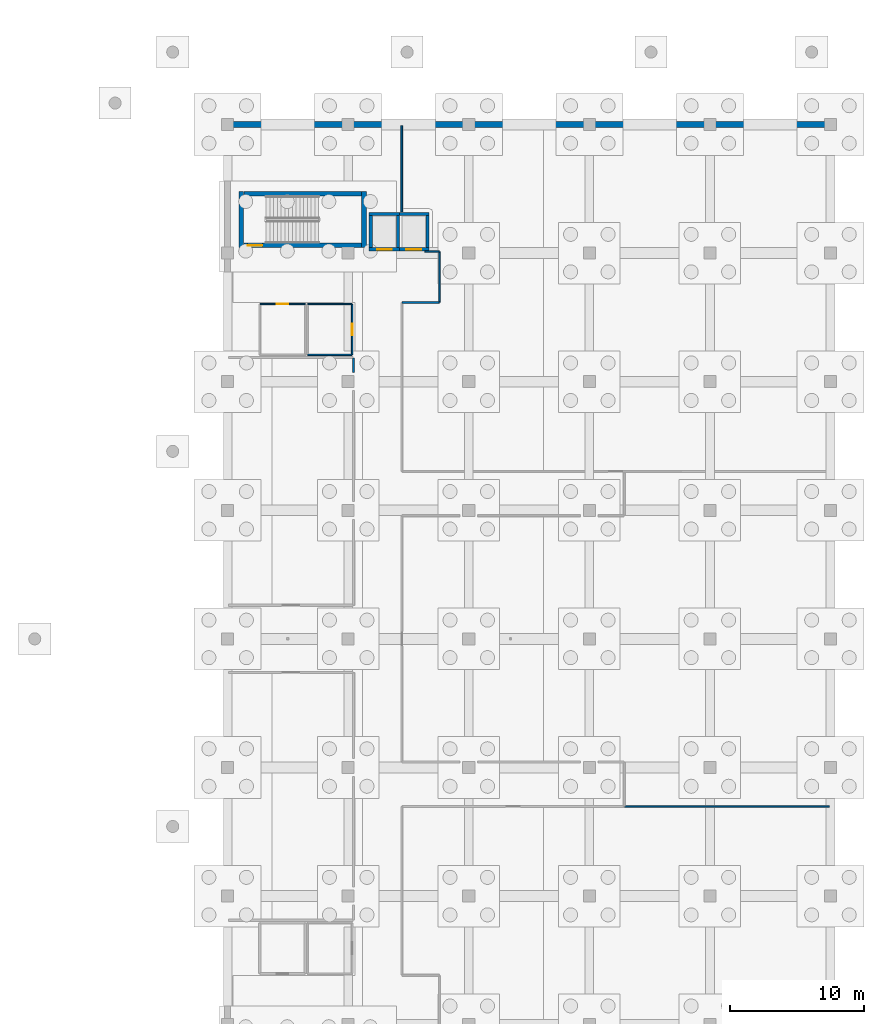
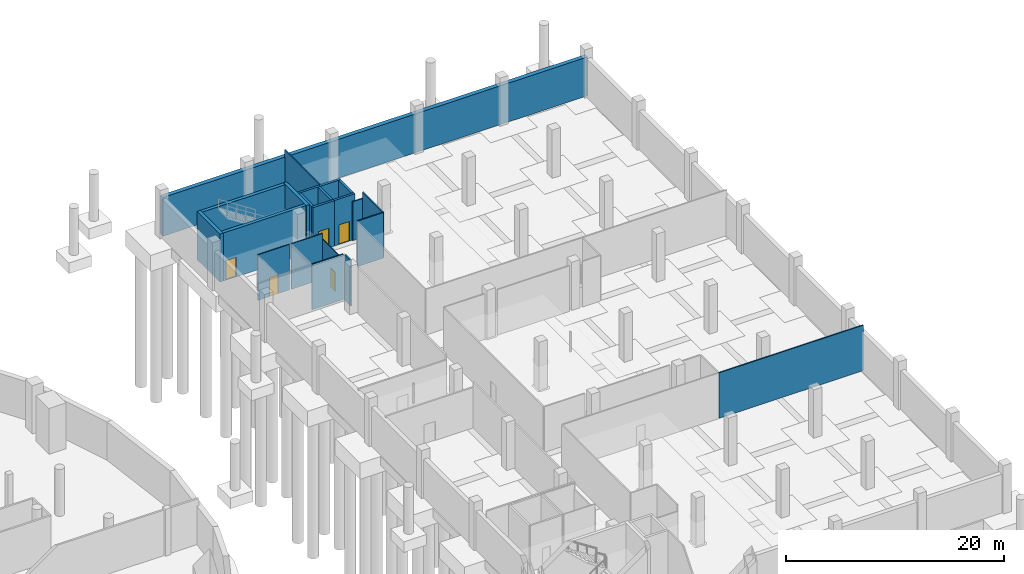
# One storey, part 11 of 22: 22 walls, 5 doors, 5 openings.
"""IFC4 building model written with IfcOpenShell, lengths in metres."""

from ifc_helpers import new_model, si_unit, direction, frame, frame_2d, origin, place, context, subcontext, project, spatial, rectangle, extrude, material, layer, layer_set, type_object, element, fill, save


model = new_model("IFC4")

# Units and contexts
model_context = context("Model", 3, precision=1e-05, world=origin(), true_north=direction((0.0, 1.0)))
body_context = subcontext(model_context, "Body", "Model", "MODEL_VIEW")
ifc_project = project(units=[si_unit("LENGTHUNIT", "METRE"), si_unit("AREAUNIT", "SQUARE_METRE"), si_unit("VOLUMEUNIT", "CUBIC_METRE"), si_unit("PLANEANGLEUNIT", "RADIAN"), si_unit("MASSUNIT", "GRAM", prefix="KILO")], contexts=[model_context])

# Site, building, storey
site_placement = place(None, origin())
site = spatial("IfcSite", under=ifc_project, at=site_placement, CompositionType="ELEMENT")
building_placement = place(site_placement, origin())
building = spatial("IfcBuilding", under=site, at=building_placement, Name="Qorvath Tower", CompositionType="ELEMENT")
storey_placement = place(building_placement, frame((0.0, 0.0, -5.39990234375)))
storey = spatial("IfcBuildingStorey", under=building, at=storey_placement, Name="B01", CompositionType="ELEMENT", Elevation=-5.39990234375)

# Walls
ifc_material_1 = material(Name="Double acoustic gypsum board on steel studs", Category="steel")
ifc_layer_1 = layer(ifc_material_1, 0.159912109375)
ifc_layer_set_1 = layer_set([ifc_layer_1], Name="IW-ACOUSTIC-160")
wall_type_1 = type_object("IfcWallType", Name="IW-ACOUSTIC-160", PredefinedType="PARTITIONING", material=ifc_layer_set_1)
wall_1_placement = place(storey_placement, frame((41.800048828125, 19.875, 0.0), z_axis=(0.0, 0.0, 1.0), x_axis=(0.0, 1.0, 0.0)))
element("IfcWall", 1, at=wall_1_placement, inside=storey, type_object=wall_type_1, Name="Interior Partition IW-LB-B01-021", PredefinedType="PARTITIONING", context=body_context, shape_type="SweptSolid", body=[
    extrude(rectangle(XDim=1.10009765625, YDim=0.159912109375, at=frame_2d((0.550048828125, 0.0))), origin(), (0.0, 0.0, 1.0), 5.099853515625),
])
ifc_material_2 = material(Name="Gypsum board on metal studs with mineral wool", Category="gypsum")
ifc_layer_2 = layer(ifc_material_2, 0.125)
ifc_layer_set_2 = layer_set([ifc_layer_2], Name="IW-PART-125")
wall_type_2 = type_object("IfcWallType", Name="IW-PART-125", PredefinedType="PARTITIONING", material=ifc_layer_set_2)
wall_2_placement = place(storey_placement, frame((48.18310546875, 28.907958984375, 0.0), z_axis=(0.0, 0.0, 1.0), x_axis=(-1.0, 0.0, 0.0)))
element("IfcWall", 2, at=wall_2_placement, inside=storey, type_object=wall_type_2, Name="Interior Partition IW-LB-B01-027", PredefinedType="PARTITIONING", context=body_context, shape_type="SweptSolid", body=[
    extrude(rectangle(XDim=1.05810546875, YDim=0.125, at=frame_2d((0.529052734375, 0.0))), origin(), (0.0, 0.0, 1.0), 4.3740234375),
])
wall_3_placement = place(storey_placement, frame((48.2080078125, 28.883056640625, 0.0), z_axis=(0.0, 0.0, 1.0), x_axis=(0.0, -1.0, 0.0)))
element("IfcWall", 3, at=wall_3_placement, inside=storey, type_object=wall_type_2, Name="Interior Partition IW-LB-B01-028", PredefinedType="PARTITIONING", context=body_context, shape_type="SweptSolid", body=[
    extrude(rectangle(XDim=3.745849609375, YDim=0.125, at=frame_2d((1.873046875, 0.0))), origin(), (0.0, 0.0, 1.0), 5.099853515625),
])
wall_4_placement = place(storey_placement, frame((45.43310546875, 25.112060546875, 0.0), z_axis=(0.0, 0.0, 1.0), x_axis=(1.0, 0.0, 0.0)))
element("IfcWall", 4, at=wall_4_placement, inside=storey, type_object=wall_type_2, Name="Interior Partition IW-LB-B01-029", PredefinedType="PARTITIONING", context=body_context, shape_type="SweptSolid", body=[
    extrude(rectangle(XDim=2.75, YDim=0.125, at=frame_2d((1.375, 0.0))), origin(), (0.0, 0.0, 1.0), 5.099853515625),
])
wall_5_placement = place(storey_placement, frame((45.39990234375, 38.320068359375, 0.0), z_axis=(0.0, 0.0, 1.0), x_axis=(0.0, -1.0, 0.0)))
element("IfcWall", 5, at=wall_5_placement, inside=storey, type_object=wall_type_2, Name="Interior Partition IW-LB-B01-032", PredefinedType="PARTITIONING", context=body_context, shape_type="SweptSolid", body=[
    extrude(rectangle(XDim=6.43505859375, YDim=0.125, at=frame_2d((3.217529296875, 0.0))), origin(), (0.0, 0.0, 1.0), 5.099853515625),
])
wall_6_placement = place(storey_placement, frame((62.033203125, -12.5, 0.0), z_axis=(0.0, 0.0, 1.0), x_axis=(1.0, 0.0, 0.0)))
element("IfcWall", 6, at=wall_6_placement, inside=storey, type_object=wall_type_2, Name="Interior Partition IW-LB-B01-034", PredefinedType="PARTITIONING", context=body_context, shape_type="SweptSolid", body=[
    extrude(rectangle(XDim=15.286865234375, YDim=0.125, at=frame_2d((7.6435546875, 0.0))), origin(), (0.0, 0.0, 1.0), 5.099853515625),
])

# Wall, opening, door
ifc_material_3 = material(Name="Moisture-resistant cement board on metal studs", Category="gypsum")
ifc_layer_3 = layer(ifc_material_3, 0.110107421875)
ifc_layer_set_3 = layer_set([ifc_layer_3], Name="IW-WC-110")
wall_type_3 = type_object("IfcWallType", Name="IW-WC-110", PredefinedType="PARTITIONING", material=ifc_layer_set_3)
wall_7_placement = place(storey_placement, frame((38.175048828125, 25.0, 0.0), z_axis=(0.0, 0.0, 1.0), x_axis=(-1.0, 0.0, 0.0)))
wall_7 = element("IfcWall", 7, at=wall_7_placement, inside=storey, type_object=wall_type_3, Name="Interior Partition IW-LB-B01-003", PredefinedType="PARTITIONING", context=body_context, shape_type="SweptSolid", body=[
    extrude(rectangle(XDim=3.35009765625, YDim=0.110107421875, at=frame_2d((1.675048828125, 0.0))), origin(), (0.0, 0.0, 1.0), 5.099853515625),
])
opening_1_placement = place(wall_7_placement, frame((1.235107421875, 0.0, 0.0)))
opening_1 = element("IfcOpeningElement", 8, at=opening_1_placement, cuts=wall_7, Name="Opening D-LB-B01-01", PredefinedType="OPENING", context=body_context, shape_type="SweptSolid", body=[
    extrude(rectangle(XDim=0.8798828125, YDim=2.10009765625, at=frame_2d((0.43994140625, 1.050048828125))), frame((0.0, 0.06494140625, 0.0), z_axis=(0.0, -1.0, 0.0), x_axis=(1.0, 0.0, 0.0)), (0.0, 0.0, 1.0), 0.130126953125),
])
ifc_material_4 = material(Name="Solid-core oak with acoustic drop seal", Category="wood")
door_type_1 = type_object("IfcDoorType", Name="D-02", OperationType="NOTDEFINED", PredefinedType="DOOR", material=ifc_material_4)
door_1_placement = place(opening_1_placement, origin())
door_1 = element("IfcDoor", 9, at=door_1_placement, inside=storey, type_object=door_type_1, Name="WC East Wing North B01 Door D-LB-B01-01", OperationType="SINGLE_SWING_RIGHT", OverallHeight=2.10009765625, OverallWidth=0.8798828125, PredefinedType="DOOR", context=body_context, shape_type="SweptSolid", body=[
    extrude(rectangle(XDim=0.8798828125, YDim=2.10009765625, at=frame_2d((0.43994140625, 1.050048828125))), frame((0.0, 0.02490234375, 0.0), z_axis=(0.0, -1.0, 0.0), x_axis=(1.0, 0.0, 0.0)), (0.0, 0.0, 1.0), 0.050048828125),
])
fill(opening_1, door_1)

# Wall
wall_8_placement = place(storey_placement, frame((38.375, 21.199951171875, 0.0), z_axis=(0.0, 0.0, 1.0), x_axis=(1.0, 0.0, 0.0)))
element("IfcWall", 10, at=wall_8_placement, inside=storey, type_object=wall_type_3, Name="Interior Partition IW-LB-B01-005", PredefinedType="PARTITIONING", context=body_context, shape_type="SweptSolid", body=[
    extrude(rectangle(XDim=3.300048828125, YDim=0.110107421875, at=frame_2d((1.64990234375, 0.0))), origin(), (0.0, 0.0, 1.0), 5.099853515625),
])

# Wall, opening, door
wall_9_placement = place(storey_placement, frame((41.699951171875, 21.22509765625, 0.0), z_axis=(0.0, 0.0, 1.0), x_axis=(0.0, 1.0, 0.0)))
wall_9 = element("IfcWall", 11, at=wall_9_placement, inside=storey, type_object=wall_type_3, Name="Interior Partition IW-LB-B01-006", PredefinedType="PARTITIONING", context=body_context, shape_type="SweptSolid", body=[
    extrude(rectangle(XDim=3.75, YDim=0.110107421875, at=frame_2d((1.875, 0.0))), origin(), (0.0, 0.0, 1.0), 4.453857421875),
])
opening_2_placement = place(wall_9_placement, frame((1.43505859375, 0.0, 0.0)))
opening_2 = element("IfcOpeningElement", 12, at=opening_2_placement, cuts=wall_9, Name="Opening D-LB-B01-02", PredefinedType="OPENING", context=body_context, shape_type="SweptSolid", body=[
    extrude(rectangle(XDim=0.8798828125, YDim=2.10009765625, at=frame_2d((0.43994140625, 1.050048828125))), frame((0.0, 0.06494140625, 0.0), z_axis=(0.0, -1.0, 0.0), x_axis=(1.0, 0.0, 0.0)), (0.0, 0.0, 1.0), 0.130126953125),
])
door_2_placement = place(opening_2_placement, origin())
door_2 = element("IfcDoor", 13, at=door_2_placement, inside=storey, type_object=door_type_1, Name="WC East Wing South B01 Door D-LB-B01-02", OperationType="SINGLE_SWING_LEFT", OverallHeight=2.10009765625, OverallWidth=0.8798828125, PredefinedType="DOOR", context=body_context, shape_type="SweptSolid", body=[
    extrude(rectangle(XDim=0.8798828125, YDim=2.10009765625, at=frame_2d((0.43994140625, 1.050048828125))), frame((0.0, 0.02490234375, 0.0), z_axis=(0.0, -1.0, 0.0), x_axis=(1.0, 0.0, 0.0)), (0.0, 0.0, 1.0), 0.050048828125),
])
fill(opening_2, door_2)

# Wall
wall_10_placement = place(storey_placement, frame((41.675048828125, 25.0, 0.0), z_axis=(0.0, 0.0, 1.0), x_axis=(-1.0, 0.0, 0.0)))
element("IfcWall", 14, at=wall_10_placement, inside=storey, type_object=wall_type_3, Name="Interior Partition IW-LB-B01-007", PredefinedType="PARTITIONING", context=body_context, shape_type="SweptSolid", body=[
    extrude(rectangle(XDim=3.300048828125, YDim=0.110107421875, at=frame_2d((1.64990234375, 0.0))), origin(), (0.0, 0.0, 1.0), 5.099853515625),
])

# Wall, opening, door
ifc_material_5 = material(Name="Concrete C60/75", Category="concrete")
ifc_layer_4 = layer(ifc_material_5, 0.260009765625)
ifc_layer_set_4 = layer_set([ifc_layer_4], Name="SW-SHAFT")
wall_type_4 = type_object("IfcWallType", Name="SW-SHAFT", PredefinedType="SHEAR", material=ifc_layer_set_4)
wall_11_placement = place(storey_placement, frame((45.239990234375, 29.080078125, 0.0), z_axis=(0.0, 0.0, 1.0), x_axis=(-1.0, 0.0, 0.0)))
wall_11 = element("IfcWall", 15, at=wall_11_placement, inside=storey, type_object=wall_type_4, Name="Hoistway Wall LL-1 B01 S", PredefinedType="SHEAR", context=body_context, shape_type="SweptSolid", body=[
    extrude(rectangle(XDim=2.280029296875, YDim=0.239990234375, at=frame_2d((1.14013671875, 0.0))), origin(), (0.0, 0.0, 1.0), 5.099853515625),
])
opening_3_placement = place(wall_11_placement, frame((0.58984375, 0.0, 0.0)))
opening_3 = element("IfcOpeningElement", 16, at=opening_3_placement, cuts=wall_11, Name="Opening LD-LL-1-B01", PredefinedType="OPENING", context=body_context, shape_type="SweptSolid", body=[
    extrude(rectangle(XDim=1.10009765625, YDim=2.199951171875, at=frame_2d((0.550048828125, 1.10009765625))), frame((0.0, 0.1298828125, 0.0), z_axis=(0.0, -1.0, 0.0), x_axis=(1.0, 0.0, 0.0)), (0.0, 0.0, 1.0), 0.260009765625),
])
ifc_material_6 = material(Name="Brushed stainless steel AISI 316", Category="steel")
door_type_2 = type_object("IfcDoorType", Name="LD-01", OperationType="NOTDEFINED", PredefinedType="DOOR", material=ifc_material_6)
door_3_placement = place(opening_3_placement, origin())
door_3 = element("IfcDoor", 17, at=door_3_placement, inside=storey, type_object=door_type_2, Name="Elevator Landing Sliding Door LD-LL-1-B01", OperationType="DOUBLE_DOOR_SLIDING", OverallHeight=2.199951171875, OverallWidth=1.10009765625, PredefinedType="DOOR", context=body_context, shape_type="SweptSolid", body=[
    extrude(rectangle(XDim=1.10009765625, YDim=2.199951171875, at=frame_2d((0.550048828125, 1.10009765625))), frame((0.0, 0.02490234375, 0.0), z_axis=(0.0, -1.0, 0.0), x_axis=(1.0, 0.0, 0.0)), (0.0, 0.0, 1.0), 0.050048828125),
])
fill(opening_3, door_3)

# Walls
wall_12_placement = place(storey_placement, frame((42.9599609375, 31.719970703125, 0.0), z_axis=(0.0, 0.0, 1.0), x_axis=(1.0, 0.0, 0.0)))
element("IfcWall", 18, at=wall_12_placement, inside=storey, type_object=wall_type_4, Name="Hoistway Wall LL-1 B01 N", PredefinedType="SHEAR", context=body_context, shape_type="SweptSolid", body=[
    extrude(rectangle(XDim=2.280029296875, YDim=0.239990234375, at=frame_2d((1.14013671875, 0.0))), origin(), (0.0, 0.0, 1.0), 5.099853515625),
])
for number, where, z_axis, x_axis, name in (
    (19, (43.080078125, 29.2119140625, 0.0), (0.0, 0.0, 1.0), (0.0, 1.0, 0.0), "Hoistway Wall LL-1 B01 W"),
    (20, (45.1201171875, 31.587890625, 0.0), (0.0, 0.0, 1.0), (0.0, -1.0, 0.0), "Hoistway Wall LL-1 B01 E"),
):
    element("IfcWall", number, at=place(storey_placement, frame(where, z_axis=z_axis, x_axis=x_axis)), inside=storey, type_object=wall_type_4, Name=name, PredefinedType="SHEAR", context=body_context, shape_type="SweptSolid", body=[
        extrude(rectangle(XDim=2.3759765625, YDim=0.239990234375, at=frame_2d((1.18798828125, 0.0))), origin(), (0.0, 0.0, 1.0), 5.099853515625),
    ])

# Wall, opening, door
wall_13_placement = place(storey_placement, frame((47.43994140625, 29.080078125, 0.0), z_axis=(0.0, 0.0, 1.0), x_axis=(-1.0, 0.0, 0.0)))
wall_13 = element("IfcWall", 21, at=wall_13_placement, inside=storey, type_object=wall_type_4, Name="Hoistway Wall LL-2 B01 S", PredefinedType="SHEAR", context=body_context, shape_type="SweptSolid", body=[
    extrude(rectangle(XDim=2.199951171875, YDim=0.239990234375, at=frame_2d((1.10009765625, 0.0))), origin(), (0.0, 0.0, 1.0), 5.099853515625),
])
opening_4_placement = place(wall_13_placement, frame((0.58984375, 0.0, 0.0)))
opening_4 = element("IfcOpeningElement", 22, at=opening_4_placement, cuts=wall_13, Name="Opening LD-LL-2-B01", PredefinedType="OPENING", context=body_context, shape_type="SweptSolid", body=[
    extrude(rectangle(XDim=1.10009765625, YDim=2.199951171875, at=frame_2d((0.550048828125, 1.10009765625))), frame((0.0, 0.1298828125, 0.0), z_axis=(0.0, -1.0, 0.0), x_axis=(1.0, 0.0, 0.0)), (0.0, 0.0, 1.0), 0.260009765625),
])
door_4_placement = place(opening_4_placement, origin())
door_4 = element("IfcDoor", 23, at=door_4_placement, inside=storey, type_object=door_type_2, Name="Elevator Landing Sliding Door LD-LL-2-B01", OperationType="DOUBLE_DOOR_SLIDING", OverallHeight=2.199951171875, OverallWidth=1.10009765625, PredefinedType="DOOR", context=body_context, shape_type="SweptSolid", body=[
    extrude(rectangle(XDim=1.10009765625, YDim=2.199951171875, at=frame_2d((0.550048828125, 1.10009765625))), frame((0.0, 0.02490234375, 0.0), z_axis=(0.0, -1.0, 0.0), x_axis=(1.0, 0.0, 0.0)), (0.0, 0.0, 1.0), 0.050048828125),
])
fill(opening_4, door_4)

# Walls
wall_14_placement = place(storey_placement, frame((45.239990234375, 31.719970703125, 0.0), z_axis=(0.0, 0.0, 1.0), x_axis=(1.0, 0.0, 0.0)))
element("IfcWall", 24, at=wall_14_placement, inside=storey, type_object=wall_type_4, Name="Hoistway Wall LL-2 B01 N", PredefinedType="SHEAR", context=body_context, shape_type="SweptSolid", body=[
    extrude(rectangle(XDim=2.199951171875, YDim=0.239990234375, at=frame_2d((1.10009765625, 0.0))), origin(), (0.0, 0.0, 1.0), 5.099853515625),
])
wall_15_placement = place(storey_placement, frame((47.320068359375, 31.587890625, 0.0), z_axis=(0.0, 0.0, 1.0), x_axis=(0.0, -1.0, 0.0)))
element("IfcWall", 25, at=wall_15_placement, inside=storey, type_object=wall_type_4, Name="Hoistway Wall LL-2 B01 E", PredefinedType="SHEAR", context=body_context, shape_type="SweptSolid", body=[
    extrude(rectangle(XDim=2.3759765625, YDim=0.239990234375, at=frame_2d((1.18798828125, 0.0))), origin(), (0.0, 0.0, 1.0), 5.099853515625),
])
ifc_material_7 = material(Name="Concrete C60/75", Category="concrete")
ifc_layer_5 = layer(ifc_material_7, 0.35009765625)
ifc_layer_set_5 = layer_set([ifc_layer_5], Name="SW-STAIR")
wall_type_5 = type_object("IfcWallType", Name="SW-STAIR", PredefinedType="SHEAR", material=ifc_layer_set_5)
for number, where, z_axis, x_axis, name in (
    (26, (33.425048828125, 33.409912109375, 0.0), (0.0, 0.0, 1.0), (0.0, -1.0, 0.0), "Stair LS1 Shear Wall B01 NEAR"),
    (27, (42.574951171875, 29.199951171875, 0.0), (0.0, 0.0, 1.0), (0.0, 1.0, 0.0), "Stair LS1 Shear Wall B01 FAR"),
):
    element("IfcWall", number, at=place(storey_placement, frame(where, z_axis=z_axis, x_axis=x_axis)), inside=storey, type_object=wall_type_5, Name=name, PredefinedType="SHEAR", context=body_context, shape_type="SweptSolid", body=[
        extrude(rectangle(XDim=4.2099609375, YDim=0.35009765625, at=frame_2d((2.10498046875, 0.0))), origin(), (0.0, 0.0, 1.0), 5.39501953125),
    ])

# Wall, opening, door
wall_16_placement = place(storey_placement, frame((33.614990234375, 29.375, 0.0), z_axis=(0.0, 0.0, 1.0), x_axis=(1.0, 0.0, 0.0)))
wall_16 = element("IfcWall", 28, at=wall_16_placement, inside=storey, type_object=wall_type_5, Name="Stair LS1 Shear Wall B01 LEFT", PredefinedType="SHEAR", context=body_context, shape_type="SweptSolid", body=[
    extrude(rectangle(XDim=8.77001953125, YDim=0.35009765625, at=frame_2d((4.385009765625, 0.0))), origin(), (0.0, 0.0, 1.0), 5.39501953125),
])
opening_5_placement = place(wall_16_placement, frame((0.280029296875, 0.0, 0.0)))
opening_5 = element("IfcOpeningElement", 29, at=opening_5_placement, cuts=wall_16, Name="Opening D-LS1-B01", PredefinedType="OPENING", context=body_context, shape_type="SweptSolid", body=[
    extrude(rectangle(XDim=1.10009765625, YDim=2.199951171875, at=frame_2d((0.550048828125, 1.10009765625))), frame((0.0, 0.18505859375, 0.0), z_axis=(0.0, -1.0, 0.0), x_axis=(1.0, 0.0, 0.0)), (0.0, 0.0, 1.0), 0.3701171875),
])
ifc_material_8 = material(Name="Painted galvanised hollow metal", Category="steel")
door_type_3 = type_object("IfcDoorType", Name="FD-90", OperationType="NOTDEFINED", PredefinedType="DOOR", material=ifc_material_8)
door_5_placement = place(opening_5_placement, origin())
door_5 = element("IfcDoor", 30, at=door_5_placement, inside=storey, type_object=door_type_3, Name="Stair LS1 Fire Door B01", OperationType="SINGLE_SWING_RIGHT", OverallHeight=2.199951171875, OverallWidth=1.10009765625, PredefinedType="DOOR", context=body_context, shape_type="SweptSolid", body=[
    extrude(rectangle(XDim=1.10009765625, YDim=2.199951171875, at=frame_2d((0.550048828125, 1.10009765625))), frame((0.0, 0.02490234375, 0.0), z_axis=(0.0, -1.0, 0.0), x_axis=(1.0, 0.0, 0.0)), (0.0, 0.0, 1.0), 0.050048828125),
])
fill(opening_5, door_5)

# Walls
wall_17_placement = place(storey_placement, frame((42.385009765625, 33.235107421875, 0.0), z_axis=(0.0, 0.0, 1.0), x_axis=(-1.0, 0.0, 0.0)))
element("IfcWall", 31, at=wall_17_placement, inside=storey, type_object=wall_type_5, Name="Stair LS1 Shear Wall B01 RIGHT", PredefinedType="SHEAR", context=body_context, shape_type="SweptSolid", body=[
    extrude(rectangle(XDim=8.77001953125, YDim=0.35009765625, at=frame_2d((4.385009765625, 0.0))), origin(), (0.0, 0.0, 1.0), 5.39501953125),
])
ifc_material_9 = material(Name="Concrete C45/55", Category="concrete")
ifc_layer_6 = layer(ifc_material_9, 0.449951171875)
ifc_layer_set_6 = layer_set([ifc_layer_6], Name="WL-RW-450")
wall_type_6 = type_object("IfcWallType", Name="WL-RW-450", PredefinedType="USERDEFINED", material=ifc_layer_set_6)
wall_18_placement = place(storey_placement, frame((77.39990234375, 38.39990234375, 0.0), z_axis=(0.0, 0.0, 1.0), x_axis=(-1.0, 0.0, 0.0)))
element("IfcWall", 32, at=wall_18_placement, inside=storey, type_object=wall_type_6, Name="Library Basement Retaining Wall 3", ObjectType="RETAININGWALL", PredefinedType="USERDEFINED", context=body_context, shape_type="SweptSolid", body=[
    extrude(rectangle(XDim=45.0, YDim=0.449951171875, at=frame_2d((22.5, 0.0))), origin(), (0.0, 0.0, 1.0), 4.349853515625),
])

save(model, "model.ifc")
